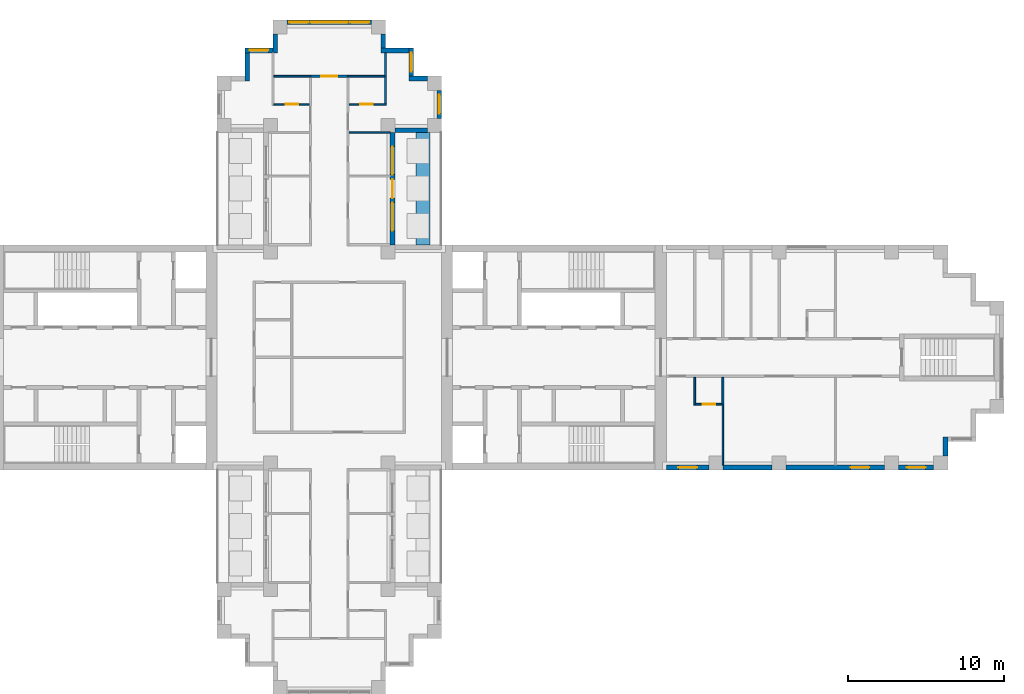
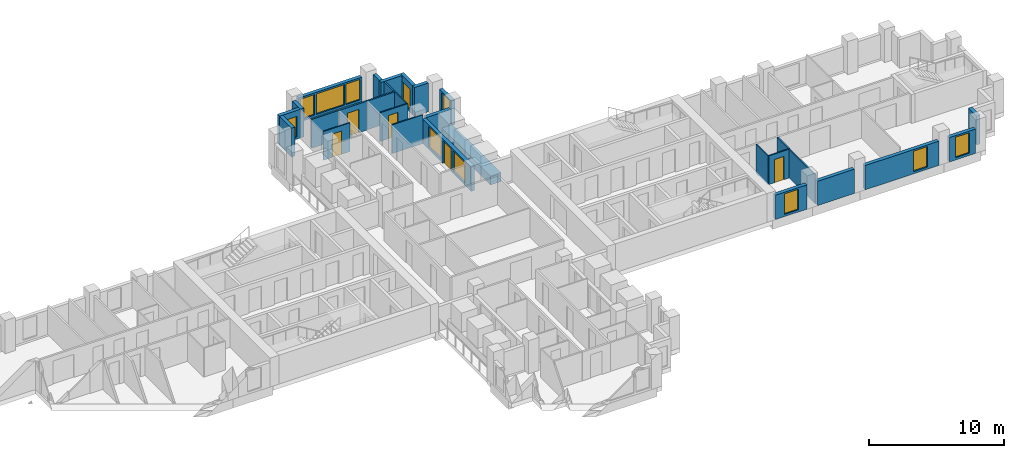
# One storey, part 8 of 12: 28 walls, 11 windows, 5 doors, 16 openings.
"""IFC4 building model written with IfcOpenShell, lengths in metres."""

from ifc_helpers import new_model, si_unit, direction, frame, frame_2d, origin, place, context, subcontext, project, spatial, rectangle, extrude, material, layer, layer_set, type_object, element, fill, save


model = new_model("IFC4")

# Units and contexts
model_context = context("Model", 3, precision=1e-05, world=origin(), true_north=direction((0.0, 1.0)))
body_context = subcontext(model_context, "Body", "Model", "MODEL_VIEW")
ifc_project = project(units=[si_unit("LENGTHUNIT", "METRE"), si_unit("AREAUNIT", "SQUARE_METRE"), si_unit("VOLUMEUNIT", "CUBIC_METRE"), si_unit("PLANEANGLEUNIT", "RADIAN"), si_unit("MASSUNIT", "GRAM", prefix="KILO")], contexts=[model_context])

# Site, building, storey
site_placement = place(None, origin())
site = spatial("IfcSite", under=ifc_project, at=site_placement, CompositionType="ELEMENT")
building_placement = place(site_placement, origin())
building = spatial("IfcBuilding", under=site, at=building_placement, Name="Fustian Cross Tower", CompositionType="ELEMENT")
storey_placement = place(building_placement, frame((0.0, 0.0, 150.300048828125)))
storey = spatial("IfcBuildingStorey", under=building, at=storey_placement, Name="L47", CompositionType="ELEMENT", Elevation=150.300048828125)

# Wall, opening, door
ifc_material_1 = material(Name="Plasterboard on steel stud", Category="steel")
ifc_layer_1 = layer(ifc_material_1, 0.14990234375)
ifc_layer_set_1 = layer_set([ifc_layer_1], Name="Plasterboard on steel stud")
wall_type_1 = type_object("IfcWallType", Name="COMPARTMENT WALL 150 EI 60", PredefinedType="PARTITIONING", material=ifc_layer_set_1)
wall_1_placement = place(storey_placement, frame((-1.199951171875, 18.0, 0.0), z_axis=(0.0, 0.0, 1.0), x_axis=(1.0, 0.0, 0.0)))
wall_1 = element("IfcWall", 1, at=wall_1_placement, inside=storey, type_object=wall_type_1, Name="Partition 39", PredefinedType="PARTITIONING", context=body_context, shape_type="SweptSolid", body=[
    extrude(rectangle(XDim=2.39990234375, YDim=0.14990234375, at=frame_2d((1.199951171875, 0.0))), origin(), (0.0, 0.0, 1.0), 2.599853515625),
])
opening_1_placement = place(wall_1_placement, frame((0.699951171875, 0.0, 0.0)))
opening_1 = element("IfcOpeningElement", 2, at=opening_1_placement, cuts=wall_1, Name="Opening D21017", PredefinedType="OPENING", context=body_context, shape_type="SweptSolid", body=[
    extrude(rectangle(XDim=1.0, YDim=2.10009765625, at=frame_2d((0.5, 1.050048828125))), frame((0.0, 0.0849609375, 0.0), z_axis=(0.0, -1.0, 0.0), x_axis=(1.0, 0.0, 0.0)), (0.0, 0.0, 1.0), 0.169921875),
])
ifc_material_2 = material(Name="Timber fire door set", Category="wood")
door_type_1 = type_object("IfcDoorType", Name="FIRE SWING DOOR 1000 FD30S", OperationType="SINGLE_SWING_LEFT", PredefinedType="DOOR", material=ifc_material_2)
door_1_placement = place(opening_1_placement, origin())
door_1 = element("IfcDoor", 3, at=door_1_placement, inside=storey, type_object=door_type_1, Name="Door D21017", OperationType="SINGLE_SWING_LEFT", OverallHeight=2.10009765625, OverallWidth=1.0, PredefinedType="DOOR", context=body_context, shape_type="SweptSolid", body=[
    extrude(rectangle(XDim=1.0, YDim=2.10009765625, at=frame_2d((0.5, 1.050048828125))), frame((0.0, 0.02490234375, 0.0), z_axis=(0.0, -1.0, 0.0), x_axis=(1.0, 0.0, 0.0)), (0.0, 0.0, 1.0), 0.050048828125),
])
fill(opening_1, door_1)

ifc_material_3 = material(Name="Plasterboard on steel stud", Category="steel")
ifc_layer_2 = layer(ifc_material_3, 0.10009765625)
ifc_layer_set_2 = layer_set([ifc_layer_2], Name="Plasterboard on steel stud")
wall_type_2 = type_object("IfcWallType", Name="PARTITION 100 STUD", PredefinedType="PARTITIONING", material=ifc_layer_set_2)
wall_2_placement = place(storey_placement, frame((-3.550048828125, 16.199951171875, 0.0), z_axis=(0.0, 0.0, 1.0), x_axis=(1.0, 0.0, 0.0)))
wall_2 = element("IfcWall", 4, at=wall_2_placement, inside=storey, type_object=wall_type_2, Name="Partition 31", PredefinedType="PARTITIONING", context=body_context, shape_type="SweptSolid", body=[
    extrude(rectangle(XDim=2.275146484375, YDim=0.10009765625, at=frame_2d((1.1376953125, 0.0))), origin(), (0.0, 0.0, 1.0), 2.599853515625),
])
opening_2_placement = place(wall_2_placement, frame((0.75, 0.0, 0.0)))
opening_2 = element("IfcOpeningElement", 5, at=opening_2_placement, cuts=wall_2, Name="Opening D21020", PredefinedType="OPENING", context=body_context, shape_type="SweptSolid", body=[
    extrude(rectangle(XDim=0.800048828125, YDim=2.10009765625, at=frame_2d((0.39990234375, 1.050048828125))), frame((0.0, 0.06005859375, 0.0), z_axis=(0.0, -1.0, 0.0), x_axis=(1.0, 0.0, 0.0)), (0.0, 0.0, 1.0), 0.1201171875),
])
ifc_material_4 = material(Name="Painted timber", Category="wood")
door_type_2 = type_object("IfcDoorType", Name="SWING DOOR 800", OperationType="SINGLE_SWING_LEFT", PredefinedType="DOOR", material=ifc_material_4)
door_2_placement = place(opening_2_placement, origin())
door_2 = element("IfcDoor", 6, at=door_2_placement, inside=storey, type_object=door_type_2, Name="Door D21020", OperationType="SINGLE_SWING_LEFT", OverallHeight=2.10009765625, OverallWidth=0.800048828125, PredefinedType="DOOR", context=body_context, shape_type="SweptSolid", body=[
    extrude(rectangle(XDim=0.800048828125, YDim=2.10009765625, at=frame_2d((0.39990234375, 1.050048828125))), frame((0.0, 0.02490234375, 0.0), z_axis=(0.0, -1.0, 0.0), x_axis=(1.0, 0.0, 0.0)), (0.0, 0.0, 1.0), 0.050048828125),
])
fill(opening_2, door_2)

# Wall
wall_3_placement = place(storey_placement, frame((1.27490234375, 14.39990234375, 0.0), z_axis=(0.0, 0.0, 1.0), x_axis=(1.0, 0.0, 0.0)))
element("IfcWall", 7, at=wall_3_placement, inside=storey, type_object=wall_type_2, Name="Partition 49", PredefinedType="PARTITIONING", context=body_context, shape_type="SweptSolid", body=[
    extrude(rectangle(XDim=2.625, YDim=0.10009765625, at=frame_2d((1.3125, 0.0))), origin(), (0.0, 0.0, 1.0), 2.599853515625),
])

# Wall, opening, door
wall_4_placement = place(storey_placement, frame((1.27490234375, 16.199951171875, 0.0), z_axis=(0.0, 0.0, 1.0), x_axis=(1.0, 0.0, 0.0)))
wall_4 = element("IfcWall", 8, at=wall_4_placement, inside=storey, type_object=wall_type_2, Name="Partition 50", PredefinedType="PARTITIONING", context=body_context, shape_type="SweptSolid", body=[
    extrude(rectangle(XDim=2.375, YDim=0.10009765625, at=frame_2d((1.1875, 0.0))), origin(), (0.0, 0.0, 1.0), 2.599853515625),
])
opening_3_placement = place(wall_4_placement, frame((0.72509765625, 0.0, 0.0)))
opening_3 = element("IfcOpeningElement", 9, at=opening_3_placement, cuts=wall_4, Name="Opening D21024", PredefinedType="OPENING", context=body_context, shape_type="SweptSolid", body=[
    extrude(rectangle(XDim=0.800048828125, YDim=2.10009765625, at=frame_2d((0.39990234375, 1.050048828125))), frame((0.0, 0.06005859375, 0.0), z_axis=(0.0, -1.0, 0.0), x_axis=(1.0, 0.0, 0.0)), (0.0, 0.0, 1.0), 0.1201171875),
])
door_3_placement = place(opening_3_placement, origin())
door_3 = element("IfcDoor", 10, at=door_3_placement, inside=storey, type_object=door_type_2, Name="Door D21024", OperationType="SINGLE_SWING_LEFT", OverallHeight=2.10009765625, OverallWidth=0.800048828125, PredefinedType="DOOR", context=body_context, shape_type="SweptSolid", body=[
    extrude(rectangle(XDim=0.800048828125, YDim=2.10009765625, at=frame_2d((0.39990234375, 1.050048828125))), frame((0.0, 0.02490234375, 0.0), z_axis=(0.0, -1.0, 0.0), x_axis=(1.0, 0.0, 0.0)), (0.0, 0.0, 1.0), 0.050048828125),
])
fill(opening_3, door_3)

# Walls
wall_5_placement = place(storey_placement, frame((3.60009765625, 16.25, 0.0), z_axis=(0.0, 0.0, 1.0), x_axis=(0.0, 1.0, 0.0)))
element("IfcWall", 11, at=wall_5_placement, inside=storey, type_object=wall_type_2, Name="Partition 53", PredefinedType="PARTITIONING", context=body_context, shape_type="SweptSolid", body=[
    extrude(rectangle(XDim=3.25, YDim=0.10009765625, at=frame_2d((1.625, 0.0))), origin(), (0.0, 0.0, 1.0), 2.599853515625),
])
wall_6_placement = place(storey_placement, frame((23.39990234375, -3.050048828125, 0.0), z_axis=(0.0, 0.0, 1.0), x_axis=(0.0, 1.0, 0.0)))
element("IfcWall", 12, at=wall_6_placement, inside=storey, type_object=wall_type_2, Name="Partition 57", PredefinedType="PARTITIONING", context=body_context, shape_type="SweptSolid", body=[
    extrude(rectangle(XDim=1.775146484375, YDim=0.10009765625, at=frame_2d((0.8876953125, 0.0))), origin(), (0.0, 0.0, 1.0), 2.599853515625),
])

# Wall, opening, door
wall_7_placement = place(storey_placement, frame((23.449951171875, -3.0, 0.0), z_axis=(0.0, 0.0, 1.0), x_axis=(1.0, 0.0, 0.0)))
wall_7 = element("IfcWall", 13, at=wall_7_placement, inside=storey, type_object=wall_type_2, Name="Partition 58", PredefinedType="PARTITIONING", context=body_context, shape_type="SweptSolid", body=[
    extrude(rectangle(XDim=1.6875, YDim=0.10009765625, at=frame_2d((0.84375, 0.0))), origin(), (0.0, 0.0, 1.0), 2.599853515625),
])
opening_4_placement = place(wall_7_placement, frame((0.449951171875, 0.0, 0.0)))
opening_4 = element("IfcOpeningElement", 14, at=opening_4_placement, cuts=wall_7, Name="Opening D21013", PredefinedType="OPENING", context=body_context, shape_type="SweptSolid", body=[
    extrude(rectangle(XDim=0.800048828125, YDim=2.10009765625, at=frame_2d((0.39990234375, 1.050048828125))), frame((0.0, 0.06005859375, 0.0), z_axis=(0.0, -1.0, 0.0), x_axis=(1.0, 0.0, 0.0)), (0.0, 0.0, 1.0), 0.1201171875),
])
door_4_placement = place(opening_4_placement, origin())
door_4 = element("IfcDoor", 15, at=door_4_placement, inside=storey, type_object=door_type_2, Name="Door D21013", OperationType="SINGLE_SWING_RIGHT", OverallHeight=2.10009765625, OverallWidth=0.800048828125, PredefinedType="DOOR", context=body_context, shape_type="SweptSolid", body=[
    extrude(rectangle(XDim=0.800048828125, YDim=2.10009765625, at=frame_2d((0.39990234375, 1.050048828125))), frame((0.0, 0.02490234375, 0.0), z_axis=(0.0, -1.0, 0.0), x_axis=(1.0, 0.0, 0.0)), (0.0, 0.0, 1.0), 0.050048828125),
])
fill(opening_4, door_4)

# Walls
wall_8_placement = place(storey_placement, frame((25.199951171875, -6.89990234375, 0.0), z_axis=(0.0, 0.0, 1.0), x_axis=(0.0, 1.0, 0.0)))
element("IfcWall", 16, at=wall_8_placement, inside=storey, type_object=wall_type_2, Name="Partition 60", PredefinedType="PARTITIONING", context=body_context, shape_type="SweptSolid", body=[
    extrude(rectangle(XDim=3.89990234375, YDim=0.10009765625, at=frame_2d((1.949951171875, 0.0))), origin(), (0.0, 0.0, 1.0), 2.599853515625),
])
ifc_material_5 = material(Name="Concrete C40/50", Category="concrete")
ifc_layer_3 = layer(ifc_material_5, 0.89990234375)
ifc_layer_set_3 = layer_set([ifc_layer_3], Name="Concrete C40/50")
wall_type_3 = type_object("IfcWallType", Name="PK1 PLANTER 900", PredefinedType="PARAPET", material=ifc_layer_set_3)
wall_9_placement = place(storey_placement, frame((6.0, 7.199951171875, 0.0), z_axis=(0.0, 0.0, 1.0), x_axis=(0.0, 1.0, 0.0)))
element("IfcWall", 17, at=wall_9_placement, inside=storey, type_object=wall_type_3, Name="PLANTER", PredefinedType="PARAPET", context=body_context, shape_type="SweptSolid", body=[
    extrude(rectangle(XDim=7.199951171875, YDim=0.89990234375, at=frame_2d((3.60009765625, 0.0))), origin(), (0.0, 0.0, 1.0), 0.800048828125),
])
ifc_material_6 = material(Name="Plasterboard on steel stud", Category="steel")
ifc_layer_4 = layer(ifc_material_6, 0.125)
ifc_layer_set_4 = layer_set([ifc_layer_4], Name="Plasterboard on steel stud")
wall_type_4 = type_object("IfcWallType", Name="WET WALL 125 STUD", PredefinedType="PARTITIONING", material=ifc_layer_set_4)
for number, where, z_axis, x_axis, name in (
    (18, (-3.550048828125, 18.0, 0.0), (0.0, 0.0, 1.0), (1.0, 0.0, 0.0), "Partition 32"),
    (19, (1.199951171875, 18.0, 0.0), (0.0, 0.0, 1.0), (1.0, 0.0, 0.0), "Partition 51"),
):
    element("IfcWall", number, at=place(storey_placement, frame(where, z_axis=z_axis, x_axis=x_axis)), inside=storey, type_object=wall_type_4, Name=name, PredefinedType="PARTITIONING", context=body_context, shape_type="SweptSolid", body=[
        extrude(rectangle(XDim=2.35009765625, YDim=0.125, at=frame_2d((1.175048828125, 0.0))), origin(), (0.0, 0.0, 1.0), 2.599853515625),
    ])
wall_10_placement = place(storey_placement, frame((25.199951171875, -3.0, 0.0), z_axis=(0.0, 0.0, 1.0), x_axis=(0.0, 1.0, 0.0)))
element("IfcWall", 20, at=wall_10_placement, inside=storey, type_object=wall_type_4, Name="Partition 61", PredefinedType="PARTITIONING", context=body_context, shape_type="SweptSolid", body=[
    extrude(rectangle(XDim=1.72509765625, YDim=0.125, at=frame_2d((0.862548828125, 0.0))), origin(), (0.0, 0.0, 1.0), 2.599853515625),
])

# Wall, opening, window
ifc_material_7 = material(Name="Dark aluminium cladding on insulated backing wall", Category="aluminium")
ifc_layer_5 = layer(ifc_material_7, 0.300048828125)
ifc_layer_set_5 = layer_set([ifc_layer_5], Name="Dark aluminium cladding on insulated backing wall")
wall_type_5 = type_object("IfcWallType", Name="XW1 EXTERNAL WALL 300", PredefinedType="SOLIDWALL", material=ifc_layer_set_5)
wall_11_placement = place(storey_placement, frame((21.60009765625, -7.050048828125, 0.0), z_axis=(0.0, 0.0, 1.0), x_axis=(1.0, 0.0, 0.0)))
wall_11 = element("IfcWall", 21, at=wall_11_placement, inside=storey, type_object=wall_type_5, Name="External wall", PredefinedType="SOLIDWALL", context=body_context, shape_type="SweptSolid", body=[
    extrude(rectangle(XDim=2.699951171875, YDim=0.300048828125, at=frame_2d((1.35009765625, 0.0))), origin(), (0.0, 0.0, 1.0), 2.199951171875),
])
opening_5_placement = place(wall_11_placement, frame((0.75, 0.0, 0.199951171875)))
opening_5 = element("IfcOpeningElement", 22, at=opening_5_placement, cuts=wall_11, Name="Opening WN3", PredefinedType="OPENING", context=body_context, shape_type="SweptSolid", body=[
    extrude(rectangle(XDim=1.199951171875, YDim=1.85009765625, at=frame_2d((0.60009765625, 0.925048828125))), frame((0.0, 0.159912109375, 0.0), z_axis=(0.0, -1.0, 0.0), x_axis=(1.0, 0.0, 0.0)), (0.0, 0.0, 1.0), 0.320068359375),
])
ifc_material_8 = material(Name="Dark anodised aluminium and double glazing", Category="aluminium")
window_type_1 = type_object("IfcWindowType", Name="WN3 WINDOW 1200X1850", PartitioningType="SINGLE_PANEL", PredefinedType="WINDOW", material=ifc_material_8)
window_1_placement = place(opening_5_placement, origin())
window_1 = element("IfcWindow", 23, at=window_1_placement, inside=storey, type_object=window_type_1, Name="Window", OverallHeight=1.85009765625, OverallWidth=1.199951171875, PartitioningType="SINGLE_PANEL", PredefinedType="WINDOW", context=body_context, shape_type="SweptSolid", body=[
    extrude(rectangle(XDim=1.199951171875, YDim=1.85009765625, at=frame_2d((0.60009765625, 0.925048828125))), frame((0.0, 0.030029296875, 0.0), z_axis=(0.0, -1.0, 0.0), x_axis=(1.0, 0.0, 0.0)), (0.0, 0.0, 1.0), 0.06005859375),
])
fill(opening_5, window_1)

# Wall
wall_12_placement = place(storey_placement, frame((25.199951171875, -7.050048828125, 0.0), z_axis=(0.0, 0.0, 1.0), x_axis=(1.0, 0.0, 0.0)))
element("IfcWall", 24, at=wall_12_placement, inside=storey, type_object=wall_type_5, Name="External wall", PredefinedType="SOLIDWALL", context=body_context, shape_type="SweptSolid", body=[
    extrude(rectangle(XDim=3.150146484375, YDim=0.300048828125, at=frame_2d((1.5751953125, 0.0))), origin(), (0.0, 0.0, 1.0), 2.199951171875),
])

# Wall, opening, window
wall_13_placement = place(storey_placement, frame((29.25, -7.050048828125, 0.0), z_axis=(0.0, 0.0, 1.0), x_axis=(1.0, 0.0, 0.0)))
wall_13 = element("IfcWall", 25, at=wall_13_placement, inside=storey, type_object=wall_type_5, Name="External wall", PredefinedType="SOLIDWALL", context=body_context, shape_type="SweptSolid", body=[
    extrude(rectangle(XDim=6.300048828125, YDim=0.300048828125, at=frame_2d((3.14990234375, 0.0))), origin(), (0.0, 0.0, 1.0), 2.199951171875),
])
opening_6_placement = place(wall_13_placement, frame((4.125, 0.0, 0.199951171875)))
opening_6 = element("IfcOpeningElement", 26, at=opening_6_placement, cuts=wall_13, Name="Opening WN3", PredefinedType="OPENING", context=body_context, shape_type="SweptSolid", body=[
    extrude(rectangle(XDim=1.199951171875, YDim=1.85009765625, at=frame_2d((0.60009765625, 0.925048828125))), frame((0.0, 0.159912109375, 0.0), z_axis=(0.0, -1.0, 0.0), x_axis=(1.0, 0.0, 0.0)), (0.0, 0.0, 1.0), 0.320068359375),
])
window_2_placement = place(opening_6_placement, origin())
window_2 = element("IfcWindow", 27, at=window_2_placement, inside=storey, type_object=window_type_1, Name="Window", OverallHeight=1.85009765625, OverallWidth=1.199951171875, PartitioningType="SINGLE_PANEL", PredefinedType="WINDOW", context=body_context, shape_type="SweptSolid", body=[
    extrude(rectangle(XDim=1.199951171875, YDim=1.85009765625, at=frame_2d((0.60009765625, 0.925048828125))), frame((0.0, 0.030029296875, 0.0), z_axis=(0.0, -1.0, 0.0), x_axis=(1.0, 0.0, 0.0)), (0.0, 0.0, 1.0), 0.06005859375),
])
fill(opening_6, window_2)

wall_14_placement = place(storey_placement, frame((36.449951171875, -7.050048828125, 0.0), z_axis=(0.0, 0.0, 1.0), x_axis=(1.0, 0.0, 0.0)))
wall_14 = element("IfcWall", 28, at=wall_14_placement, inside=storey, type_object=wall_type_5, Name="External wall", PredefinedType="SOLIDWALL", context=body_context, shape_type="SweptSolid", body=[
    extrude(rectangle(XDim=2.25, YDim=0.300048828125, at=frame_2d((1.125, 0.0))), origin(), (0.0, 0.0, 1.0), 2.199951171875),
])
opening_7_placement = place(wall_14_placement, frame((0.52490234375, 0.0, 0.199951171875)))
opening_7 = element("IfcOpeningElement", 29, at=opening_7_placement, cuts=wall_14, Name="Opening WN3", PredefinedType="OPENING", context=body_context, shape_type="SweptSolid", body=[
    extrude(rectangle(XDim=1.199951171875, YDim=1.85009765625, at=frame_2d((0.60009765625, 0.925048828125))), frame((0.0, 0.159912109375, 0.0), z_axis=(0.0, -1.0, 0.0), x_axis=(1.0, 0.0, 0.0)), (0.0, 0.0, 1.0), 0.320068359375),
])
window_3_placement = place(opening_7_placement, origin())
window_3 = element("IfcWindow", 30, at=window_3_placement, inside=storey, type_object=window_type_1, Name="Window", OverallHeight=1.85009765625, OverallWidth=1.199951171875, PartitioningType="SINGLE_PANEL", PredefinedType="WINDOW", context=body_context, shape_type="SweptSolid", body=[
    extrude(rectangle(XDim=1.199951171875, YDim=1.85009765625, at=frame_2d((0.60009765625, 0.925048828125))), frame((0.0, 0.030029296875, 0.0), z_axis=(0.0, -1.0, 0.0), x_axis=(1.0, 0.0, 0.0)), (0.0, 0.0, 1.0), 0.06005859375),
])
fill(opening_7, window_3)

# Wall
wall_15_placement = place(storey_placement, frame((39.449951171875, -6.300048828125, 0.0), z_axis=(0.0, 0.0, 1.0), x_axis=(0.0, 1.0, 0.0)))
element("IfcWall", 31, at=wall_15_placement, inside=storey, type_object=wall_type_5, Name="External wall", PredefinedType="SOLIDWALL", context=body_context, shape_type="SweptSolid", body=[
    extrude(rectangle(XDim=1.199951171875, YDim=0.300048828125, at=frame_2d((0.60009765625, 0.0))), origin(), (0.0, 0.0, 1.0), 2.599853515625),
])

# Wall, openings, door, windows
wall_16_placement = place(storey_placement, frame((4.050048828125, 7.199951171875, 0.0), z_axis=(0.0, 0.0, 1.0), x_axis=(0.0, 1.0, 0.0)))
wall_16 = element("IfcWall", 32, at=wall_16_placement, inside=storey, type_object=wall_type_5, Name="External wall", PredefinedType="SOLIDWALL", context=body_context, shape_type="SweptSolid", body=[
    extrude(rectangle(XDim=7.199951171875, YDim=0.300048828125, at=frame_2d((3.60009765625, 0.0))), origin(), (0.0, 0.0, 1.0), 2.199951171875),
])
opening_8_placement = place(wall_16_placement, frame((3.0, 0.0, 0.0)))
opening_8 = element("IfcOpeningElement", 33, at=opening_8_placement, cuts=wall_16, Name="Opening XD1", PredefinedType="OPENING", context=body_context, shape_type="SweptSolid", body=[
    extrude(rectangle(XDim=1.199951171875, YDim=2.050048828125, at=frame_2d((0.60009765625, 1.02490234375))), frame((0.0, 0.159912109375, 0.0), z_axis=(0.0, -1.0, 0.0), x_axis=(1.0, 0.0, 0.0)), (0.0, 0.0, 1.0), 0.320068359375),
])
opening_9_placement = place(wall_16_placement, frame((0.89990234375, 0.0, 0.199951171875)))
opening_9 = element("IfcOpeningElement", 34, at=opening_9_placement, cuts=wall_16, Name="Opening WN2", PredefinedType="OPENING", context=body_context, shape_type="SweptSolid", body=[
    extrude(rectangle(XDim=1.800048828125, YDim=1.85009765625, at=frame_2d((0.89990234375, 0.925048828125))), frame((0.0, 0.159912109375, 0.0), z_axis=(0.0, -1.0, 0.0), x_axis=(1.0, 0.0, 0.0)), (0.0, 0.0, 1.0), 0.320068359375),
])
opening_10_placement = place(wall_16_placement, frame((4.5, 0.0, 0.199951171875)))
opening_10 = element("IfcOpeningElement", 35, at=opening_10_placement, cuts=wall_16, Name="Opening WN2", PredefinedType="OPENING", context=body_context, shape_type="SweptSolid", body=[
    extrude(rectangle(XDim=1.800048828125, YDim=1.85009765625, at=frame_2d((0.89990234375, 0.925048828125))), frame((0.0, 0.159912109375, 0.0), z_axis=(0.0, -1.0, 0.0), x_axis=(1.0, 0.0, 0.0)), (0.0, 0.0, 1.0), 0.320068359375),
])
ifc_material_9 = material(Name="Dark anodised aluminium and double glazing", Category="aluminium")
door_type_3 = type_object("IfcDoorType", Name="ED1 BALCONY DOOR 1200X2050", OperationType="SINGLE_SWING_LEFT", PredefinedType="DOOR", material=ifc_material_9)
door_5_placement = place(opening_8_placement, origin())
door_5 = element("IfcDoor", 36, at=door_5_placement, inside=storey, type_object=door_type_3, Name="Balcony door", OperationType="SINGLE_SWING_LEFT", OverallHeight=2.050048828125, OverallWidth=1.199951171875, PredefinedType="DOOR", context=body_context, shape_type="SweptSolid", body=[
    extrude(rectangle(XDim=1.199951171875, YDim=2.050048828125, at=frame_2d((0.60009765625, 1.02490234375))), frame((0.0, 0.02490234375, 0.0), z_axis=(0.0, -1.0, 0.0), x_axis=(1.0, 0.0, 0.0)), (0.0, 0.0, 1.0), 0.050048828125),
])
fill(opening_8, door_5)
ifc_material_10 = material(Name="Dark anodised aluminium and double glazing", Category="aluminium")
window_type_2 = type_object("IfcWindowType", Name="WN2 WINDOW 1800X1850", PartitioningType="SINGLE_PANEL", PredefinedType="WINDOW", material=ifc_material_10)
window_4_placement = place(opening_9_placement, origin())
window_4 = element("IfcWindow", 37, at=window_4_placement, inside=storey, type_object=window_type_2, Name="Window", OverallHeight=1.85009765625, OverallWidth=1.800048828125, PartitioningType="SINGLE_PANEL", PredefinedType="WINDOW", context=body_context, shape_type="SweptSolid", body=[
    extrude(rectangle(XDim=1.800048828125, YDim=1.85009765625, at=frame_2d((0.89990234375, 0.925048828125))), frame((0.0, 0.030029296875, 0.0), z_axis=(0.0, -1.0, 0.0), x_axis=(1.0, 0.0, 0.0)), (0.0, 0.0, 1.0), 0.06005859375),
])
fill(opening_9, window_4)
window_5_placement = place(opening_10_placement, origin())
window_5 = element("IfcWindow", 38, at=window_5_placement, inside=storey, type_object=window_type_2, Name="Window", OverallHeight=1.85009765625, OverallWidth=1.800048828125, PartitioningType="SINGLE_PANEL", PredefinedType="WINDOW", context=body_context, shape_type="SweptSolid", body=[
    extrude(rectangle(XDim=1.800048828125, YDim=1.85009765625, at=frame_2d((0.89990234375, 0.925048828125))), frame((0.0, 0.030029296875, 0.0), z_axis=(0.0, -1.0, 0.0), x_axis=(1.0, 0.0, 0.0)), (0.0, 0.0, 1.0), 0.06005859375),
])
fill(opening_10, window_5)

# Wall
wall_17_placement = place(storey_placement, frame((4.199951171875, 14.550048828125, 0.0), z_axis=(0.0, 0.0, 1.0), x_axis=(1.0, 0.0, 0.0)))
element("IfcWall", 39, at=wall_17_placement, inside=storey, type_object=wall_type_5, Name="External wall", PredefinedType="SOLIDWALL", context=body_context, shape_type="SweptSolid", body=[
    extrude(rectangle(XDim=2.10009765625, YDim=0.300048828125, at=frame_2d((1.050048828125, 0.0))), origin(), (0.0, 0.0, 1.0), 2.199951171875),
])

# Wall, opening, window
wall_18_placement = place(storey_placement, frame((7.050048828125, 15.300048828125, 0.0), z_axis=(0.0, 0.0, 1.0), x_axis=(0.0, 1.0, 0.0)))
wall_18 = element("IfcWall", 40, at=wall_18_placement, inside=storey, type_object=wall_type_5, Name="External wall", PredefinedType="SOLIDWALL", context=body_context, shape_type="SweptSolid", body=[
    extrude(rectangle(XDim=1.800048828125, YDim=0.300048828125, at=frame_2d((0.89990234375, 0.0))), origin(), (0.0, 0.0, 1.0), 2.199951171875),
])
opening_11_placement = place(wall_18_placement, frame((0.300048828125, 0.0, 0.199951171875)))
opening_11 = element("IfcOpeningElement", 41, at=opening_11_placement, cuts=wall_18, Name="Opening WN3", PredefinedType="OPENING", context=body_context, shape_type="SweptSolid", body=[
    extrude(rectangle(XDim=1.199951171875, YDim=1.85009765625, at=frame_2d((0.60009765625, 0.925048828125))), frame((0.0, 0.159912109375, 0.0), z_axis=(0.0, -1.0, 0.0), x_axis=(1.0, 0.0, 0.0)), (0.0, 0.0, 1.0), 0.320068359375),
])
window_6_placement = place(opening_11_placement, origin())
window_6 = element("IfcWindow", 42, at=window_6_placement, inside=storey, type_object=window_type_1, Name="Window", OverallHeight=1.85009765625, OverallWidth=1.199951171875, PartitioningType="SINGLE_PANEL", PredefinedType="WINDOW", context=body_context, shape_type="SweptSolid", body=[
    extrude(rectangle(XDim=1.199951171875, YDim=1.85009765625, at=frame_2d((0.60009765625, 0.925048828125))), frame((0.0, 0.030029296875, 0.0), z_axis=(0.0, -1.0, 0.0), x_axis=(1.0, 0.0, 0.0)), (0.0, 0.0, 1.0), 0.06005859375),
])
fill(opening_11, window_6)

# Wall
wall_19_placement = place(storey_placement, frame((6.300048828125, 17.85009765625, 0.0), z_axis=(0.0, 0.0, 1.0), x_axis=(-1.0, 0.0, 0.0)))
element("IfcWall", 43, at=wall_19_placement, inside=storey, type_object=wall_type_5, Name="External wall", PredefinedType="SOLIDWALL", context=body_context, shape_type="SweptSolid", body=[
    extrude(rectangle(XDim=1.199951171875, YDim=0.300048828125, at=frame_2d((0.60009765625, 0.0))), origin(), (0.0, 0.0, 1.0), 2.599853515625),
])

# Wall, opening, window
wall_20_placement = place(storey_placement, frame((5.25, 18.0, 0.0), z_axis=(0.0, 0.0, 1.0), x_axis=(0.0, 1.0, 0.0)))
wall_20 = element("IfcWall", 44, at=wall_20_placement, inside=storey, type_object=wall_type_5, Name="External wall", PredefinedType="SOLIDWALL", context=body_context, shape_type="SweptSolid", body=[
    extrude(rectangle(XDim=1.800048828125, YDim=0.300048828125, at=frame_2d((0.89990234375, 0.0))), origin(), (0.0, 0.0, 1.0), 2.599853515625),
])
opening_12_placement = place(wall_20_placement, frame((0.300048828125, 0.0, 0.199951171875)))
opening_12 = element("IfcOpeningElement", 45, at=opening_12_placement, cuts=wall_20, Name="Opening WN3", PredefinedType="OPENING", context=body_context, shape_type="SweptSolid", body=[
    extrude(rectangle(XDim=1.199951171875, YDim=1.85009765625, at=frame_2d((0.60009765625, 0.925048828125))), frame((0.0, 0.159912109375, 0.0), z_axis=(0.0, -1.0, 0.0), x_axis=(1.0, 0.0, 0.0)), (0.0, 0.0, 1.0), 0.320068359375),
])
window_7_placement = place(opening_12_placement, origin())
window_7 = element("IfcWindow", 46, at=window_7_placement, inside=storey, type_object=window_type_1, Name="Window", OverallHeight=1.85009765625, OverallWidth=1.199951171875, PartitioningType="SINGLE_PANEL", PredefinedType="WINDOW", context=body_context, shape_type="SweptSolid", body=[
    extrude(rectangle(XDim=1.199951171875, YDim=1.85009765625, at=frame_2d((0.60009765625, 0.925048828125))), frame((0.0, 0.030029296875, 0.0), z_axis=(0.0, -1.0, 0.0), x_axis=(1.0, 0.0, 0.0)), (0.0, 0.0, 1.0), 0.06005859375),
])
fill(opening_12, window_7)

# Walls
wall_21_placement = place(storey_placement, frame((5.10009765625, 19.64990234375, 0.0), z_axis=(0.0, 0.0, 1.0), x_axis=(-1.0, 0.0, 0.0)))
element("IfcWall", 47, at=wall_21_placement, inside=storey, type_object=wall_type_5, Name="External wall", PredefinedType="SOLIDWALL", context=body_context, shape_type="SweptSolid", body=[
    extrude(rectangle(XDim=1.800048828125, YDim=0.300048828125, at=frame_2d((0.89990234375, 0.0))), origin(), (0.0, 0.0, 1.0), 2.599853515625),
])
wall_22_placement = place(storey_placement, frame((3.449951171875, 19.800048828125, 0.0), z_axis=(0.0, 0.0, 1.0), x_axis=(0.0, 1.0, 0.0)))
element("IfcWall", 48, at=wall_22_placement, inside=storey, type_object=wall_type_5, Name="External wall", PredefinedType="SOLIDWALL", context=body_context, shape_type="SweptSolid", body=[
    extrude(rectangle(XDim=0.89990234375, YDim=0.300048828125, at=frame_2d((0.449951171875, 0.0))), origin(), (0.0, 0.0, 1.0), 2.599853515625),
])

# Wall, openings, windows
wall_23_placement = place(storey_placement, frame((2.699951171875, 21.449951171875, 0.0), z_axis=(0.0, 0.0, 1.0), x_axis=(-1.0, 0.0, 0.0)))
wall_23 = element("IfcWall", 49, at=wall_23_placement, inside=storey, type_object=wall_type_5, Name="External wall", PredefinedType="SOLIDWALL", context=body_context, shape_type="SweptSolid", body=[
    extrude(rectangle(XDim=5.39990234375, YDim=0.300048828125, at=frame_2d((2.699951171875, 0.0))), origin(), (0.0, 0.0, 1.0), 2.199951171875),
])
opening_13_placement = place(wall_23_placement, frame((1.5, 0.0, 0.199951171875)))
opening_13 = element("IfcOpeningElement", 50, at=opening_13_placement, cuts=wall_23, Name="Opening WN1", PredefinedType="OPENING", context=body_context, shape_type="SweptSolid", body=[
    extrude(rectangle(XDim=2.39990234375, YDim=1.85009765625, at=frame_2d((1.199951171875, 0.925048828125))), frame((0.0, 0.159912109375, 0.0), z_axis=(0.0, -1.0, 0.0), x_axis=(1.0, 0.0, 0.0)), (0.0, 0.0, 1.0), 0.320068359375),
])
opening_14_placement = place(wall_23_placement, frame((0.14990234375, 0.0, 0.199951171875)))
opening_14 = element("IfcOpeningElement", 51, at=opening_14_placement, cuts=wall_23, Name="Opening WN3", PredefinedType="OPENING", context=body_context, shape_type="SweptSolid", body=[
    extrude(rectangle(XDim=1.199951171875, YDim=1.85009765625, at=frame_2d((0.60009765625, 0.925048828125))), frame((0.0, 0.159912109375, 0.0), z_axis=(0.0, -1.0, 0.0), x_axis=(1.0, 0.0, 0.0)), (0.0, 0.0, 1.0), 0.320068359375),
])
opening_15_placement = place(wall_23_placement, frame((4.050048828125, 0.0, 0.199951171875)))
opening_15 = element("IfcOpeningElement", 52, at=opening_15_placement, cuts=wall_23, Name="Opening WN3", PredefinedType="OPENING", context=body_context, shape_type="SweptSolid", body=[
    extrude(rectangle(XDim=1.199951171875, YDim=1.85009765625, at=frame_2d((0.60009765625, 0.925048828125))), frame((0.0, 0.159912109375, 0.0), z_axis=(0.0, -1.0, 0.0), x_axis=(1.0, 0.0, 0.0)), (0.0, 0.0, 1.0), 0.320068359375),
])
ifc_material_11 = material(Name="Dark anodised aluminium and double glazing", Category="aluminium")
window_type_3 = type_object("IfcWindowType", Name="WN1 WINDOW 2400X1850", PartitioningType="SINGLE_PANEL", PredefinedType="WINDOW", material=ifc_material_11)
window_8_placement = place(opening_13_placement, origin())
window_8 = element("IfcWindow", 53, at=window_8_placement, inside=storey, type_object=window_type_3, Name="Window", OverallHeight=1.85009765625, OverallWidth=2.39990234375, PartitioningType="SINGLE_PANEL", PredefinedType="WINDOW", context=body_context, shape_type="SweptSolid", body=[
    extrude(rectangle(XDim=2.39990234375, YDim=1.85009765625, at=frame_2d((1.199951171875, 0.925048828125))), frame((0.0, 0.030029296875, 0.0), z_axis=(0.0, -1.0, 0.0), x_axis=(1.0, 0.0, 0.0)), (0.0, 0.0, 1.0), 0.06005859375),
])
fill(opening_13, window_8)
window_9_placement = place(opening_14_placement, origin())
window_9 = element("IfcWindow", 54, at=window_9_placement, inside=storey, type_object=window_type_1, Name="Window", OverallHeight=1.85009765625, OverallWidth=1.199951171875, PartitioningType="SINGLE_PANEL", PredefinedType="WINDOW", context=body_context, shape_type="SweptSolid", body=[
    extrude(rectangle(XDim=1.199951171875, YDim=1.85009765625, at=frame_2d((0.60009765625, 0.925048828125))), frame((0.0, 0.030029296875, 0.0), z_axis=(0.0, -1.0, 0.0), x_axis=(1.0, 0.0, 0.0)), (0.0, 0.0, 1.0), 0.06005859375),
])
fill(opening_14, window_9)
window_10_placement = place(opening_15_placement, origin())
window_10 = element("IfcWindow", 55, at=window_10_placement, inside=storey, type_object=window_type_1, Name="Window", OverallHeight=1.85009765625, OverallWidth=1.199951171875, PartitioningType="SINGLE_PANEL", PredefinedType="WINDOW", context=body_context, shape_type="SweptSolid", body=[
    extrude(rectangle(XDim=1.199951171875, YDim=1.85009765625, at=frame_2d((0.60009765625, 0.925048828125))), frame((0.0, 0.030029296875, 0.0), z_axis=(0.0, -1.0, 0.0), x_axis=(1.0, 0.0, 0.0)), (0.0, 0.0, 1.0), 0.06005859375),
])
fill(opening_15, window_10)

# Wall
wall_24_placement = place(storey_placement, frame((-3.449951171875, 20.699951171875, 0.0), z_axis=(0.0, 0.0, 1.0), x_axis=(0.0, -1.0, 0.0)))
element("IfcWall", 56, at=wall_24_placement, inside=storey, type_object=wall_type_5, Name="External wall", PredefinedType="SOLIDWALL", context=body_context, shape_type="SweptSolid", body=[
    extrude(rectangle(XDim=1.199951171875, YDim=0.300048828125, at=frame_2d((0.60009765625, 0.0))), origin(), (0.0, 0.0, 1.0), 2.599853515625),
])

# Wall, opening, window
wall_25_placement = place(storey_placement, frame((-3.60009765625, 19.64990234375, 0.0), z_axis=(0.0, 0.0, 1.0), x_axis=(-1.0, 0.0, 0.0)))
wall_25 = element("IfcWall", 57, at=wall_25_placement, inside=storey, type_object=wall_type_5, Name="External wall", PredefinedType="SOLIDWALL", context=body_context, shape_type="SweptSolid", body=[
    extrude(rectangle(XDim=1.7998046875, YDim=0.300048828125, at=frame_2d((0.89990234375, 0.0))), origin(), (0.0, 0.0, 1.0), 2.599853515625),
])
opening_16_placement = place(wall_25_placement, frame((0.300048828125, 0.0, 0.199951171875)))
opening_16 = element("IfcOpeningElement", 58, at=opening_16_placement, cuts=wall_25, Name="Opening WN3", PredefinedType="OPENING", context=body_context, shape_type="SweptSolid", body=[
    extrude(rectangle(XDim=1.199951171875, YDim=1.85009765625, at=frame_2d((0.60009765625, 0.925048828125))), frame((0.0, 0.159912109375, 0.0), z_axis=(0.0, -1.0, 0.0), x_axis=(1.0, 0.0, 0.0)), (0.0, 0.0, 1.0), 0.320068359375),
])
window_11_placement = place(opening_16_placement, origin())
window_11 = element("IfcWindow", 59, at=window_11_placement, inside=storey, type_object=window_type_1, Name="Window", OverallHeight=1.85009765625, OverallWidth=1.199951171875, PartitioningType="SINGLE_PANEL", PredefinedType="WINDOW", context=body_context, shape_type="SweptSolid", body=[
    extrude(rectangle(XDim=1.199951171875, YDim=1.85009765625, at=frame_2d((0.60009765625, 0.925048828125))), frame((0.0, 0.030029296875, 0.0), z_axis=(0.0, -1.0, 0.0), x_axis=(1.0, 0.0, 0.0)), (0.0, 0.0, 1.0), 0.06005859375),
])
fill(opening_16, window_11)

# Wall
wall_26_placement = place(storey_placement, frame((-5.25, 19.5, 0.0), z_axis=(0.0, 0.0, 1.0), x_axis=(0.0, -1.0, 0.0)))
element("IfcWall", 60, at=wall_26_placement, inside=storey, type_object=wall_type_5, Name="External wall", PredefinedType="SOLIDWALL", context=body_context, shape_type="SweptSolid", body=[
    extrude(rectangle(XDim=1.800048828125, YDim=0.300048828125, at=frame_2d((0.89990234375, 0.0))), origin(), (0.0, 0.0, 1.0), 2.599853515625),
])

save(model, "model.ifc")
